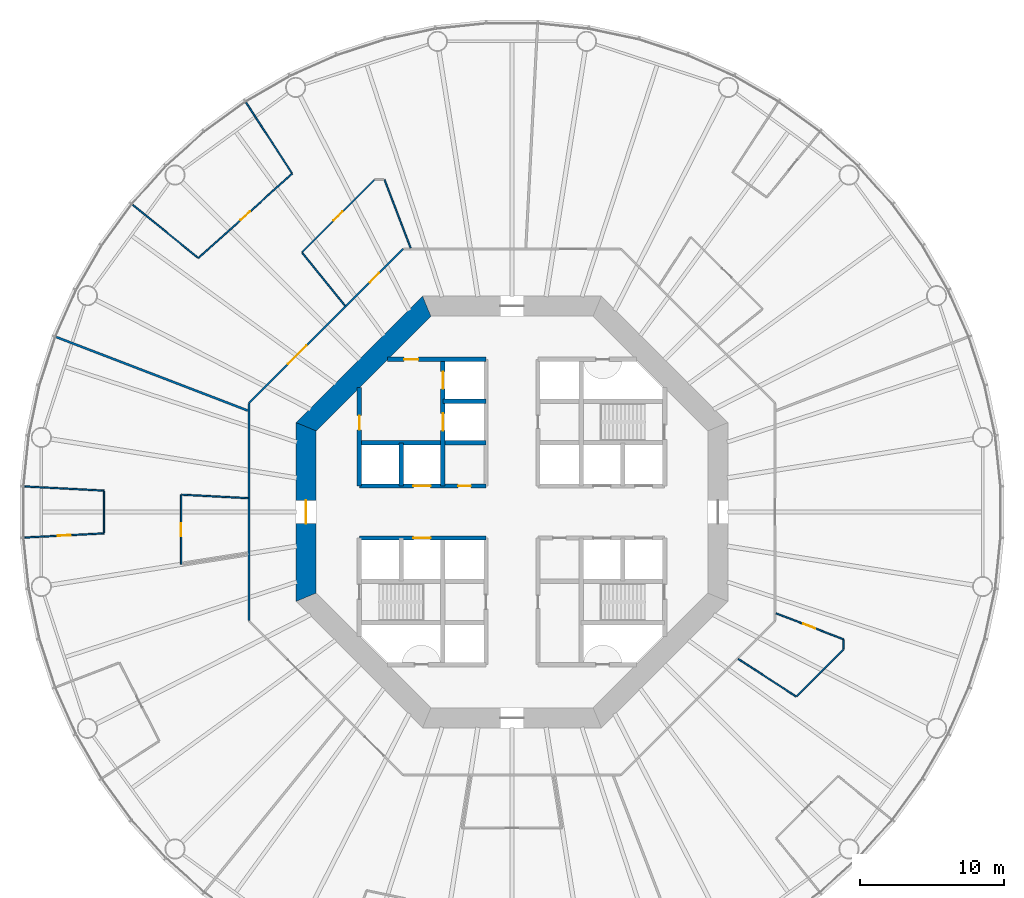
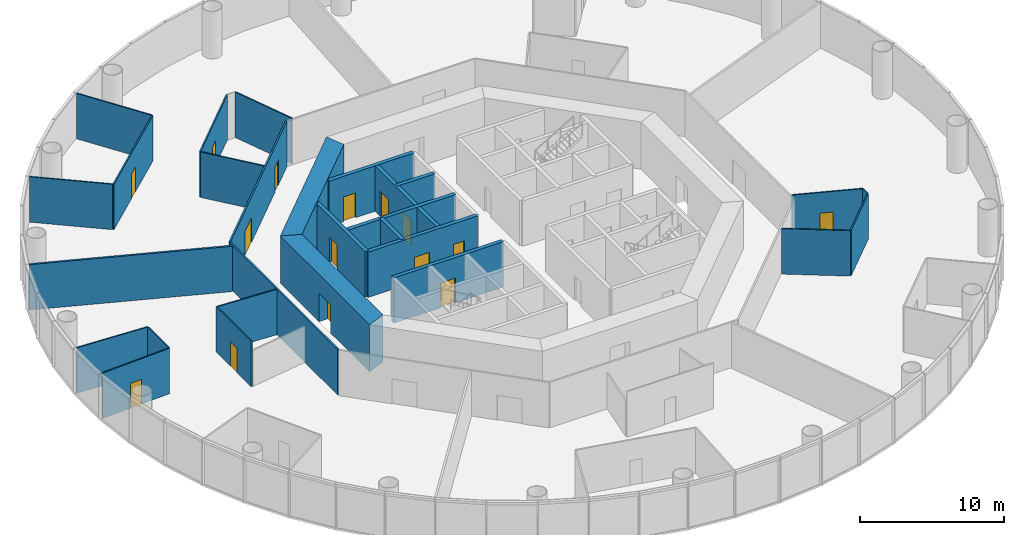
# One storey, part 4 of 13: 28 walls, 15 doors, 15 openings.
"""IFC4 building model written with IfcOpenShell, lengths in metres."""

from ifc_helpers import new_model, si_unit, direction, frame, frame_2d, origin, place, context, subcontext, project, spatial, polyline, rectangle, outline, extrude, material, layer, layer_set, type_object, element, fill, save


model = new_model("IFC4")

# Units and contexts
model_context = context("Model", 3, precision=1e-05, world=origin(), true_north=direction((0.0, 1.0)))
body_context = subcontext(model_context, "Body", "Model", "MODEL_VIEW")
ifc_project = project(units=[si_unit("LENGTHUNIT", "METRE"), si_unit("AREAUNIT", "SQUARE_METRE"), si_unit("VOLUMEUNIT", "CUBIC_METRE"), si_unit("PLANEANGLEUNIT", "RADIAN"), si_unit("MASSUNIT", "GRAM", prefix="KILO")], contexts=[model_context])

# Site, building, storey
site_placement = place(None, origin())
site = spatial("IfcSite", under=ifc_project, at=site_placement, CompositionType="ELEMENT")
building_placement = place(site_placement, origin())
building = spatial("IfcBuilding", under=site, at=building_placement, Name="Entoto Ring Tower", CompositionType="ELEMENT")
storey_placement = place(building_placement, frame((0.0, 0.0, 62.0)))
storey = spatial("IfcBuildingStorey", under=building, at=storey_placement, Name="L13", CompositionType="ELEMENT", Elevation=62.0)

# Wall, openings, doors
ifc_material_1 = material(Name="Concrete C40/50", Category="concrete")
ifc_layer_1 = layer(ifc_material_1, 0.300048828125)
ifc_layer_set_1 = layer_set([ifc_layer_1], Name="Concrete C40/50")
wall_type_1 = type_object("IfcWallType", Name="Core enclosure wall 300 mm reinforced concrete", PredefinedType="SOLIDWALL", material=ifc_layer_set_1)
wall_1_placement = place(storey_placement, frame((85.199951171875, 81.800048828125, 0.0), z_axis=(0.0, 0.0, 1.0), x_axis=(0.0, 1.0, 0.0)))
wall_1 = element("IfcWall", 1, at=wall_1_placement, inside=storey, type_object=wall_type_1, Name="wall-L13-012", PredefinedType="SOLIDWALL", context=body_context, shape_type="SweptSolid", body=[
    extrude(rectangle(XDim=8.800048828125, YDim=0.300048828125, at=frame_2d((4.39990234375, 0.0))), origin(), (0.0, 0.0, 1.0), 3.85009765625),
])
opening_1_placement = place(wall_1_placement, frame((3.85009765625, 0.0, 0.0)))
opening_1 = element("IfcOpeningElement", 2, at=opening_1_placement, cuts=wall_1, Name="Opening LD", PredefinedType="OPENING", context=body_context, shape_type="SweptSolid", body=[
    extrude(rectangle(XDim=1.199951171875, YDim=2.10009765625, at=frame_2d((0.60009765625, 1.050048828125))), frame((0.0, 0.16015625, 0.0), z_axis=(0.0, -1.0, 0.0), x_axis=(1.0, 0.0, 0.0)), (0.0, 0.0, 1.0), 0.320068359375),
])
opening_2_placement = place(wall_1_placement, frame((6.75, 0.0, 0.0)))
opening_2 = element("IfcOpeningElement", 3, at=opening_2_placement, cuts=wall_1, Name="Opening LD", PredefinedType="OPENING", context=body_context, shape_type="SweptSolid", body=[
    extrude(rectangle(XDim=1.199951171875, YDim=2.10009765625, at=frame_2d((0.60009765625, 1.050048828125))), frame((0.0, 0.16015625, 0.0), z_axis=(0.0, -1.0, 0.0), x_axis=(1.0, 0.0, 0.0)), (0.0, 0.0, 1.0), 0.320068359375),
])
ifc_material_2 = material(Name="Steel and glass door leaf", Category="steel")
ifc_layer_2 = layer(ifc_material_2, 0.050048828125)
ifc_layer_set_2 = layer_set([ifc_layer_2], Name="Steel and glass door leaf")
door_type_1 = type_object("IfcDoorType", Name="Landing door 1200 x 2100 sliding", OperationType="DOUBLE_DOOR_SLIDING", PredefinedType="DOOR", material=ifc_layer_set_2)
door_1_placement = place(opening_1_placement, origin())
door_1 = element("IfcDoor", 4, at=door_1_placement, inside=storey, type_object=door_type_1, Name="Landing door FF1", OperationType="SLIDING_TO_RIGHT", OverallHeight=2.10009765625, OverallWidth=1.199951171875, PredefinedType="DOOR", context=body_context, shape_type="SweptSolid", body=[
    extrude(rectangle(XDim=1.199951171875, YDim=2.10009765625, at=frame_2d((0.60009765625, 1.050048828125))), frame((0.0, 0.02490234375, 0.0), z_axis=(0.0, -1.0, 0.0), x_axis=(1.0, 0.0, 0.0)), (0.0, 0.0, 1.0), 0.050048828125),
])
fill(opening_1, door_1)
door_2_placement = place(opening_2_placement, origin())
door_2 = element("IfcDoor", 5, at=door_2_placement, inside=storey, type_object=door_type_1, Name="Landing door FF2", OperationType="SLIDING_TO_RIGHT", OverallHeight=2.10009765625, OverallWidth=1.199951171875, PredefinedType="DOOR", context=body_context, shape_type="SweptSolid", body=[
    extrude(rectangle(XDim=1.199951171875, YDim=2.10009765625, at=frame_2d((0.60009765625, 1.050048828125))), frame((0.0, 0.02490234375, 0.0), z_axis=(0.0, -1.0, 0.0), x_axis=(1.0, 0.0, 0.0)), (0.0, 0.0, 1.0), 0.050048828125),
])
fill(opening_2, door_2)

# Wall
wall_2_placement = place(storey_placement, frame((82.300048828125, 81.800048828125, 0.0), z_axis=(0.0, 0.0, 1.0), x_axis=(0.0, 1.0, 0.0)))
element("IfcWall", 6, at=wall_2_placement, inside=storey, type_object=wall_type_1, Name="wall-L13-014", PredefinedType="SOLIDWALL", context=body_context, shape_type="SweptSolid", body=[
    extrude(rectangle(XDim=3.0, YDim=0.300048828125, at=frame_2d((1.5, 0.0))), origin(), (0.0, 0.0, 1.0), 3.85009765625),
])

# Wall, opening, door
wall_3_placement = place(storey_placement, frame((79.39990234375, 81.800048828125, 0.0), z_axis=(0.0, 0.0, 1.0), x_axis=(0.0, 1.0, 0.0)))
wall_3 = element("IfcWall", 7, at=wall_3_placement, inside=storey, type_object=wall_type_1, Name="wall-L13-016", PredefinedType="SOLIDWALL", context=body_context, shape_type="SweptSolid", body=[
    extrude(rectangle(XDim=6.833251953125, YDim=0.300048828125, at=frame_2d((3.41650390625, 0.0))), origin(), (0.0, 0.0, 1.0), 3.85009765625),
])
opening_3_placement = place(wall_3_placement, frame((3.89990234375, 0.0, 0.0)))
opening_3 = element("IfcOpeningElement", 8, at=opening_3_placement, cuts=wall_3, Name="Opening K-22", PredefinedType="OPENING", context=body_context, shape_type="SweptSolid", body=[
    extrude(rectangle(XDim=1.0, YDim=2.10009765625, at=frame_2d((0.5, 1.050048828125))), frame((0.0, 0.16015625, 0.0), z_axis=(0.0, -1.0, 0.0), x_axis=(1.0, 0.0, 0.0)), (0.0, 0.0, 1.0), 0.320068359375),
])
ifc_material_3 = material(Name="Steel door leaf, fire rated", Category="steel")
ifc_layer_3 = layer(ifc_material_3, 0.050048828125)
ifc_layer_set_3 = layer_set([ifc_layer_3], Name="Steel door leaf, fire rated")
door_type_2 = type_object("IfcDoorType", Name="Fire door FD60 1000 x 2100 single leaf", OperationType="NOTDEFINED", PredefinedType="DOOR", material=ifc_layer_set_3)
door_3_placement = place(opening_3_placement, frame((1.0, 0.0, 0.0), z_axis=(0.0, 0.0, 1.0), x_axis=(-1.0, 0.0, 0.0)))
door_3 = element("IfcDoor", 9, at=door_3_placement, inside=storey, type_object=door_type_2, Name="Door K-22", OperationType="SINGLE_SWING_LEFT", OverallHeight=2.10009765625, OverallWidth=1.0, PredefinedType="DOOR", context=body_context, shape_type="SweptSolid", body=[
    extrude(rectangle(XDim=1.0, YDim=2.10009765625, at=frame_2d((0.5, 1.050048828125))), frame((0.0, 0.02490234375, 0.0), z_axis=(0.0, -1.0, 0.0), x_axis=(1.0, 0.0, 0.0)), (0.0, 0.0, 1.0), 0.050048828125),
])
fill(opening_3, door_3)

wall_4_placement = place(storey_placement, frame((79.39990234375, 78.199951171875, 0.0), z_axis=(0.0, 0.0, 1.0), x_axis=(1.0, 0.0, 0.0)))
wall_4 = element("IfcWall", 10, at=wall_4_placement, inside=storey, type_object=wall_type_1, Name="wall-L13-023", PredefinedType="SOLIDWALL", context=body_context, shape_type="SweptSolid", body=[
    extrude(rectangle(XDim=8.800048828125, YDim=0.300048828125, at=frame_2d((4.39990234375, 0.0))), origin(), (0.0, 0.0, 1.0), 3.85009765625),
])
opening_4_placement = place(wall_4_placement, frame((3.75, 0.0, 0.0)))
opening_4 = element("IfcOpeningElement", 11, at=opening_4_placement, cuts=wall_4, Name="Opening LD", PredefinedType="OPENING", context=body_context, shape_type="SweptSolid", body=[
    extrude(rectangle(XDim=1.199951171875, YDim=2.10009765625, at=frame_2d((0.60009765625, 1.050048828125))), frame((0.0, 0.16015625, 0.0), z_axis=(0.0, -1.0, 0.0), x_axis=(1.0, 0.0, 0.0)), (0.0, 0.0, 1.0), 0.320068359375),
])
door_4_placement = place(opening_4_placement, origin())
door_4 = element("IfcDoor", 12, at=door_4_placement, inside=storey, type_object=door_type_1, Name="Landing door LB6-LR", OperationType="SLIDING_TO_RIGHT", OverallHeight=2.10009765625, OverallWidth=1.199951171875, PredefinedType="DOOR", context=body_context, shape_type="SweptSolid", body=[
    extrude(rectangle(XDim=1.199951171875, YDim=2.10009765625, at=frame_2d((0.60009765625, 1.050048828125))), frame((0.0, 0.02490234375, 0.0), z_axis=(0.0, -1.0, 0.0), x_axis=(1.0, 0.0, 0.0)), (0.0, 0.0, 1.0), 0.050048828125),
])
fill(opening_4, door_4)

# Wall, openings, doors
wall_5_placement = place(storey_placement, frame((79.39990234375, 81.800048828125, 0.0), z_axis=(0.0, 0.0, 1.0), x_axis=(1.0, 0.0, 0.0)))
wall_5 = element("IfcWall", 13, at=wall_5_placement, inside=storey, type_object=wall_type_1, Name="wall-L13-025", PredefinedType="SOLIDWALL", context=body_context, shape_type="SweptSolid", body=[
    extrude(rectangle(XDim=8.800048828125, YDim=0.300048828125, at=frame_2d((4.39990234375, 0.0))), origin(), (0.0, 0.0, 1.0), 3.85009765625),
])
opening_5_placement = place(wall_5_placement, frame((3.75, 0.0, 0.0)))
opening_5 = element("IfcOpeningElement", 14, at=opening_5_placement, cuts=wall_5, Name="Opening LD", PredefinedType="OPENING", context=body_context, shape_type="SweptSolid", body=[
    extrude(rectangle(XDim=1.199951171875, YDim=2.10009765625, at=frame_2d((0.60009765625, 1.050048828125))), frame((0.0, 0.16015625, 0.0), z_axis=(0.0, -1.0, 0.0), x_axis=(1.0, 0.0, 0.0)), (0.0, 0.0, 1.0), 0.320068359375),
])
opening_6_placement = place(wall_5_placement, frame((6.85009765625, 0.0, 0.0)))
opening_6 = element("IfcOpeningElement", 15, at=opening_6_placement, cuts=wall_5, Name="Opening K-14", PredefinedType="OPENING", context=body_context, shape_type="SweptSolid", body=[
    extrude(rectangle(XDim=0.89990234375, YDim=2.10009765625, at=frame_2d((0.449951171875, 1.050048828125))), frame((0.0, 0.16015625, 0.0), z_axis=(0.0, -1.0, 0.0), x_axis=(1.0, 0.0, 0.0)), (0.0, 0.0, 1.0), 0.320068359375),
])
ifc_material_4 = material(Name="Steel door leaf, fire rated", Category="steel")
ifc_layer_4 = layer(ifc_material_4, 0.050048828125)
ifc_layer_set_4 = layer_set([ifc_layer_4], Name="Steel door leaf, fire rated")
door_type_3 = type_object("IfcDoorType", Name="Core door 900 x 2100 single leaf", OperationType="NOTDEFINED", PredefinedType="DOOR", material=ifc_layer_set_4)
door_5_placement = place(opening_6_placement, frame((0.89990234375, 0.0, 0.0), z_axis=(0.0, 0.0, 1.0), x_axis=(-1.0, 0.0, 0.0)))
door_5 = element("IfcDoor", 16, at=door_5_placement, inside=storey, type_object=door_type_3, Name="Door K-14", OperationType="SINGLE_SWING_RIGHT", OverallHeight=2.10009765625, OverallWidth=0.89990234375, PredefinedType="DOOR", context=body_context, shape_type="SweptSolid", body=[
    extrude(rectangle(XDim=0.89990234375, YDim=2.10009765625, at=frame_2d((0.449951171875, 1.050048828125))), frame((0.0, 0.02490234375, 0.0), z_axis=(0.0, -1.0, 0.0), x_axis=(1.0, 0.0, 0.0)), (0.0, 0.0, 1.0), 0.050048828125),
])
fill(opening_6, door_5)
door_6_placement = place(opening_5_placement, origin())
door_6 = element("IfcDoor", 17, at=door_6_placement, inside=storey, type_object=door_type_1, Name="Landing door LB3-LR", OperationType="SLIDING_TO_RIGHT", OverallHeight=2.10009765625, OverallWidth=1.199951171875, PredefinedType="DOOR", context=body_context, shape_type="SweptSolid", body=[
    extrude(rectangle(XDim=1.199951171875, YDim=2.10009765625, at=frame_2d((0.60009765625, 1.050048828125))), frame((0.0, 0.02490234375, 0.0), z_axis=(0.0, -1.0, 0.0), x_axis=(1.0, 0.0, 0.0)), (0.0, 0.0, 1.0), 0.050048828125),
])
fill(opening_5, door_6)

# Walls
wall_6_placement = place(storey_placement, frame((79.39990234375, 84.800048828125, 0.0), z_axis=(0.0, 0.0, 1.0), x_axis=(1.0, 0.0, 0.0)))
element("IfcWall", 18, at=wall_6_placement, inside=storey, type_object=wall_type_1, Name="wall-L13-027", PredefinedType="SOLIDWALL", context=body_context, shape_type="SweptSolid", body=[
    extrude(rectangle(XDim=8.800048828125, YDim=0.300048828125, at=frame_2d((4.39990234375, 0.0))), origin(), (0.0, 0.0, 1.0), 3.85009765625),
])
wall_7_placement = place(storey_placement, frame((85.199951171875, 87.699951171875, 0.0), z_axis=(0.0, 0.0, 1.0), x_axis=(1.0, 0.0, 0.0)))
element("IfcWall", 19, at=wall_7_placement, inside=storey, type_object=wall_type_1, Name="wall-L13-029", PredefinedType="SOLIDWALL", context=body_context, shape_type="SweptSolid", body=[
    extrude(rectangle(XDim=3.0, YDim=0.300048828125, at=frame_2d((1.5, 0.0))), origin(), (0.0, 0.0, 1.0), 3.85009765625),
])

# Wall, opening, door
wall_8_placement = place(storey_placement, frame((81.36669921875, 90.60009765625, 0.0), z_axis=(0.0, 0.0, 1.0), x_axis=(1.0, 0.0, 0.0)))
wall_8 = element("IfcWall", 20, at=wall_8_placement, inside=storey, type_object=wall_type_1, Name="wall-L13-031", PredefinedType="SOLIDWALL", context=body_context, shape_type="SweptSolid", body=[
    extrude(rectangle(XDim=6.833251953125, YDim=0.300048828125, at=frame_2d((3.41650390625, 0.0))), origin(), (0.0, 0.0, 1.0), 3.85009765625),
])
opening_7_placement = place(wall_8_placement, frame((1.13330078125, 0.0, 0.0)))
opening_7 = element("IfcOpeningElement", 21, at=opening_7_placement, cuts=wall_8, Name="Opening K-23", PredefinedType="OPENING", context=body_context, shape_type="SweptSolid", body=[
    extrude(rectangle(XDim=1.0, YDim=2.10009765625, at=frame_2d((0.5, 1.050048828125))), frame((0.0, 0.16015625, 0.0), z_axis=(0.0, -1.0, 0.0), x_axis=(1.0, 0.0, 0.0)), (0.0, 0.0, 1.0), 0.320068359375),
])
door_7_placement = place(opening_7_placement, frame((1.0, 0.0, 0.0), z_axis=(0.0, 0.0, 1.0), x_axis=(-1.0, 0.0, 0.0)))
door_7 = element("IfcDoor", 22, at=door_7_placement, inside=storey, type_object=door_type_2, Name="Door K-23", OperationType="SINGLE_SWING_RIGHT", OverallHeight=2.10009765625, OverallWidth=1.0, PredefinedType="DOOR", context=body_context, shape_type="SweptSolid", body=[
    extrude(rectangle(XDim=1.0, YDim=2.10009765625, at=frame_2d((0.5, 1.050048828125))), frame((0.0, 0.02490234375, 0.0), z_axis=(0.0, -1.0, 0.0), x_axis=(1.0, 0.0, 0.0)), (0.0, 0.0, 1.0), 0.050048828125),
])
fill(opening_7, door_7)

# Wall
ifc_material_5 = material(Name="Concrete C60/75", Category="concrete")
ifc_layer_5 = layer(ifc_material_5, 1.39990234375)
ifc_layer_set_5 = layer_set([ifc_layer_5], Name="Concrete C60/75")
wall_type_2 = type_object("IfcWallType", Name="Core shear wall 1400 mm reinforced concrete C60/75", PredefinedType="SHEAR", material=ifc_layer_set_5)
wall_9_placement = place(storey_placement, frame((84.07666015625, 94.300048828125, 0.0), z_axis=(0.0, 0.0, 1.0), x_axis=(-0.707106781187, -0.707106781187, 0.0)))
element("IfcWall", 23, at=wall_9_placement, inside=storey, type_object=wall_type_2, Name="wall-L13-core-3", PredefinedType="SHEAR", context=body_context, shape_type="SweptSolid", body=[
    extrude(outline(polyline([(-0.2900390625, -0.699951171875), (12.136474609375, -0.699951171875), (11.556396484375, 0.699951171875), (0.2900390625, 0.699951171875), (-0.2900390625, -0.699951171875)])), origin(), (0.0, 0.0, 1.0), 4.0),
])

# Wall, opening, door
wall_10_placement = place(storey_placement, frame((75.699951171875, 85.92333984375, 0.0), z_axis=(0.0, 0.0, 1.0), x_axis=(0.0, -1.0, 0.0)))
wall_10 = element("IfcWall", 24, at=wall_10_placement, inside=storey, type_object=wall_type_2, Name="wall-L13-core-4", PredefinedType="SHEAR", context=body_context, shape_type="SweptSolid", body=[
    extrude(outline(polyline([(-0.2900390625, -0.699951171875), (12.13671875, -0.699951171875), (11.556640625, 0.699951171875), (0.2900390625, 0.699951171875), (-0.2900390625, -0.699951171875)])), origin(), (0.0, 0.0, 1.0), 4.0),
])
opening_8_placement = place(wall_10_placement, frame((5.123291015625, 0.0, 0.0)))
opening_8 = element("IfcOpeningElement", 25, at=opening_8_placement, cuts=wall_10, Name="Opening K-03", PredefinedType="OPENING", context=body_context, shape_type="SweptSolid", body=[
    extrude(rectangle(XDim=1.60009765625, YDim=2.39990234375, at=frame_2d((0.800048828125, 1.199951171875))), frame((0.0, 0.7099609375, 0.0), z_axis=(0.0, -1.0, 0.0), x_axis=(1.0, 0.0, 0.0)), (0.0, 0.0, 1.0), 1.419921875),
])
ifc_material_6 = material(Name="Steel door leaf, fire rated", Category="steel")
ifc_layer_6 = layer(ifc_material_6, 0.050048828125)
ifc_layer_set_6 = layer_set([ifc_layer_6], Name="Steel door leaf, fire rated")
door_type_4 = type_object("IfcDoorType", Name="Entrance door FD60 1600 x 2400 double leaf", OperationType="DOUBLE_DOOR_SINGLE_SWING", PredefinedType="DOOR", material=ifc_layer_set_6)
door_8_placement = place(opening_8_placement, origin())
door_8 = element("IfcDoor", 26, at=door_8_placement, inside=storey, type_object=door_type_4, Name="Entrance door K-03", OperationType="DOUBLE_DOOR_SINGLE_SWING", OverallHeight=2.39990234375, OverallWidth=1.60009765625, PredefinedType="DOOR", context=body_context, shape_type="SweptSolid", body=[
    extrude(rectangle(XDim=1.60009765625, YDim=2.39990234375, at=frame_2d((0.800048828125, 1.199951171875))), frame((0.0, 0.02490234375, 0.0), z_axis=(0.0, -1.0, 0.0), x_axis=(1.0, 0.0, 0.0)), (0.0, 0.0, 1.0), 0.050048828125),
])
fill(opening_8, door_8)

# Wall, openings, doors
ifc_material_7 = material(Name="Fire-resisting plasterboard on steel studs", Category="steel")
ifc_layer_7 = layer(ifc_material_7, 0.125)
ifc_layer_set_7 = layer_set([ifc_layer_7], Name="Fire-resisting plasterboard on steel studs")
wall_type_3 = type_object("IfcWallType", Name="Corridor wall 125 mm one-hour plasterboard on steel studs", PredefinedType="PARTITIONING", material=ifc_layer_set_7)
wall_11_placement = place(storey_placement, frame((71.737548828125, 87.564697265625, 0.0), z_axis=(0.0, 0.0, 1.0), x_axis=(0.707106781187, 0.707106781187, 0.0)))
wall_11 = element("IfcWall", 27, at=wall_11_placement, inside=storey, type_object=wall_type_3, Name="partition-L13-001", PredefinedType="PARTITIONING", context=body_context, shape_type="SweptSolid", body=[
    extrude(rectangle(XDim=15.12890625, YDim=0.125, at=frame_2d((7.564453125, 0.0))), origin(), (0.0, 0.0, 1.0), 3.85009765625),
])
opening_9_placement = place(wall_11_placement, frame((3.842041015625, 0.0, 0.0)))
opening_9 = element("IfcOpeningElement", 28, at=opening_9_placement, cuts=wall_11, Name="Opening A05-D14", PredefinedType="OPENING", context=body_context, shape_type="SweptSolid", body=[
    extrude(rectangle(XDim=1.800048828125, YDim=2.10009765625, at=frame_2d((0.89990234375, 1.050048828125))), frame((0.0, 0.072509765625, 0.0), z_axis=(0.0, -1.0, 0.0), x_axis=(1.0, 0.0, 0.0)), (0.0, 0.0, 1.0), 0.14501953125),
])
opening_10_placement = place(wall_11_placement, frame((11.8564453125, 0.0, 0.0)))
opening_10 = element("IfcOpeningElement", 29, at=opening_10_placement, cuts=wall_11, Name="Opening A05-D16", PredefinedType="OPENING", context=body_context, shape_type="SweptSolid", body=[
    extrude(rectangle(XDim=0.89990234375, YDim=2.10009765625, at=frame_2d((0.449951171875, 1.050048828125))), frame((0.0, 0.072509765625, 0.0), z_axis=(0.0, -1.0, 0.0), x_axis=(1.0, 0.0, 0.0)), (0.0, 0.0, 1.0), 0.14501953125),
])
ifc_material_8 = material(Name="Fire-resisting timber door set", Category="wood")
door_type_5 = type_object("IfcDoorType", Name="Door 1000 x 2100 single leaf FD30S fire door", OperationType="NOTDEFINED", PredefinedType="DOOR", material=ifc_material_8)
door_9_placement = place(opening_10_placement, origin())
door_9 = element("IfcDoor", 30, at=door_9_placement, inside=storey, type_object=door_type_5, Name="Door A05-D16", OperationType="SINGLE_SWING_LEFT", OverallHeight=2.10009765625, OverallWidth=0.89990234375, PredefinedType="DOOR", context=body_context, shape_type="SweptSolid", body=[
    extrude(rectangle(XDim=0.89990234375, YDim=2.10009765625, at=frame_2d((0.449951171875, 1.050048828125))), frame((0.0, 0.02490234375, 0.0), z_axis=(0.0, -1.0, 0.0), x_axis=(1.0, 0.0, 0.0)), (0.0, 0.0, 1.0), 0.050048828125),
])
fill(opening_10, door_9)
ifc_material_9 = material(Name="Fire-resisting timber door set", Category="wood")
door_type_6 = type_object("IfcDoorType", Name="Door 1800 x 2100 double leaf FD30S fire door", OperationType="DOUBLE_DOOR_SINGLE_SWING", PredefinedType="DOOR", material=ifc_material_9)
door_10_placement = place(opening_9_placement, origin())
door_10 = element("IfcDoor", 31, at=door_10_placement, inside=storey, type_object=door_type_6, Name="Door A05-D14", OperationType="DOUBLE_DOOR_SINGLE_SWING", OverallHeight=2.10009765625, OverallWidth=1.800048828125, PredefinedType="DOOR", context=body_context, shape_type="SweptSolid", body=[
    extrude(rectangle(XDim=1.800048828125, YDim=2.10009765625, at=frame_2d((0.89990234375, 1.050048828125))), frame((0.0, 0.02490234375, 0.0), z_axis=(0.0, -1.0, 0.0), x_axis=(1.0, 0.0, 0.0)), (0.0, 0.0, 1.0), 0.050048828125),
])
fill(opening_9, door_10)

# Wall
wall_12_placement = place(storey_placement, frame((71.737548828125, 72.4794921875, 0.0), z_axis=(0.0, 0.0, 1.0), x_axis=(0.0, 1.0, 0.0)))
element("IfcWall", 32, at=wall_12_placement, inside=storey, type_object=wall_type_3, Name="partition-L13-005", PredefinedType="PARTITIONING", context=body_context, shape_type="SweptSolid", body=[
    extrude(rectangle(XDim=15.041015625, YDim=0.125, at=frame_2d((7.5205078125, 0.0))), origin(), (0.0, 0.0, 1.0), 3.85009765625),
])

# Wall, opening, door
ifc_material_10 = material(Name="Plasterboard on steel studs", Category="steel")
ifc_layer_8 = layer(ifc_material_10, 0.10009765625)
ifc_layer_set_8 = layer_set([ifc_layer_8], Name="Plasterboard on steel studs")
wall_type_4 = type_object("IfcWallType", Name="Partition 100 mm plasterboard on steel studs", PredefinedType="PARTITIONING", material=ifc_layer_set_8)
wall_13_placement = place(storey_placement, frame((68.216552734375, 97.639892578125, 0.0), z_axis=(0.0, 0.0, 1.0), x_axis=(0.743162627125, 0.669110835098, 0.0)))
wall_13 = element("IfcWall", 33, at=wall_13_placement, inside=storey, type_object=wall_type_4, Name="partition-L13-015", PredefinedType="PARTITIONING", context=body_context, shape_type="SweptSolid", body=[
    extrude(rectangle(XDim=8.769775390625, YDim=0.10009765625, at=frame_2d((4.384765625, 0.0))), origin(), (0.0, 0.0, 1.0), 3.85009765625),
])
opening_11_placement = place(wall_13_placement, frame((3.934814453125, 0.0, 0.0)))
opening_11 = element("IfcOpeningElement", 34, at=opening_11_placement, cuts=wall_13, Name="Opening A05-D17", PredefinedType="OPENING", context=body_context, shape_type="SweptSolid", body=[
    extrude(rectangle(XDim=0.89990234375, YDim=2.10009765625, at=frame_2d((0.449951171875, 1.050048828125))), frame((0.0, 0.06005859375, 0.0), z_axis=(0.0, -1.0, 0.0), x_axis=(1.0, 0.0, 0.0)), (0.0, 0.0, 1.0), 0.1201171875),
])
ifc_material_11 = material(Name="Veneered timber door leaf in timber frame", Category="wood")
door_type_7 = type_object("IfcDoorType", Name="Door 900 x 2100 single leaf timber veneer", OperationType="NOTDEFINED", PredefinedType="DOOR", material=ifc_material_11)
door_11_placement = place(opening_11_placement, origin())
door_11 = element("IfcDoor", 35, at=door_11_placement, inside=storey, type_object=door_type_7, Name="Door A05-D17", OperationType="SINGLE_SWING_RIGHT", OverallHeight=2.10009765625, OverallWidth=0.89990234375, PredefinedType="DOOR", context=body_context, shape_type="SweptSolid", body=[
    extrude(rectangle(XDim=0.89990234375, YDim=2.10009765625, at=frame_2d((0.449951171875, 1.050048828125))), frame((0.0, 0.02490234375, 0.0), z_axis=(0.0, -1.0, 0.0), x_axis=(1.0, 0.0, 0.0)), (0.0, 0.0, 1.0), 0.050048828125),
])
fill(opening_11, door_11)

wall_14_placement = place(storey_placement, frame((75.393798828125, 98.037353515625, 0.0), z_axis=(0.0, 0.0, 1.0), x_axis=(0.707106781187, 0.707106781187, 0.0)))
wall_14 = element("IfcWall", 36, at=wall_14_placement, inside=storey, type_object=wall_type_4, Name="partition-L13-016", PredefinedType="PARTITIONING", context=body_context, shape_type="SweptSolid", body=[
    extrude(rectangle(XDim=7.135009765625, YDim=0.10009765625, at=frame_2d((3.5673828125, 0.0))), origin(), (0.0, 0.0, 1.0), 3.85009765625),
])
opening_12_placement = place(wall_14_placement, frame((3.117431640625, 0.0, 0.0)))
opening_12 = element("IfcOpeningElement", 37, at=opening_12_placement, cuts=wall_14, Name="Opening A05-D15", PredefinedType="OPENING", context=body_context, shape_type="SweptSolid", body=[
    extrude(rectangle(XDim=0.89990234375, YDim=2.10009765625, at=frame_2d((0.449951171875, 1.050048828125))), frame((0.0, 0.06005859375, 0.0), z_axis=(0.0, -1.0, 0.0), x_axis=(1.0, 0.0, 0.0)), (0.0, 0.0, 1.0), 0.1201171875),
])
door_12_placement = place(opening_12_placement, frame((0.89990234375, 0.0, 0.0), z_axis=(0.0, 0.0, 1.0), x_axis=(-1.0, 0.0, 0.0)))
door_12 = element("IfcDoor", 38, at=door_12_placement, inside=storey, type_object=door_type_7, Name="Door A05-D15", OperationType="SINGLE_SWING_RIGHT", OverallHeight=2.10009765625, OverallWidth=0.89990234375, PredefinedType="DOOR", context=body_context, shape_type="SweptSolid", body=[
    extrude(rectangle(XDim=0.89990234375, YDim=2.10009765625, at=frame_2d((0.449951171875, 1.050048828125))), frame((0.0, 0.02490234375, 0.0), z_axis=(0.0, -1.0, 0.0), x_axis=(1.0, 0.0, 0.0)), (0.0, 0.0, 1.0), 0.050048828125),
])
fill(opening_12, door_12)

# Walls
wall_15_placement = place(storey_placement, frame((74.706787109375, 103.54931640625, 0.0), z_axis=(0.0, 0.0, 1.0), x_axis=(-0.544623708746, 0.838680520742, 0.0)))
element("IfcWall", 39, at=wall_15_placement, inside=storey, type_object=wall_type_4, Name="partition-L13-021", PredefinedType="PARTITIONING", context=body_context, shape_type="SweptSolid", body=[
    extrude(rectangle(XDim=5.86083984375, YDim=0.10009765625, at=frame_2d((2.930419921875, 0.0))), origin(), (0.0, 0.0, 1.0), 3.85009765625),
])
wall_16_placement = place(storey_placement, frame((68.17822265625, 97.6708984375, 0.0), z_axis=(0.0, 0.0, 1.0), x_axis=(-0.777136205055, 0.629332439012, 0.0)))
element("IfcWall", 40, at=wall_16_placement, inside=storey, type_object=wall_type_4, Name="partition-L13-022", PredefinedType="PARTITIONING", context=body_context, shape_type="SweptSolid", body=[
    extrude(rectangle(XDim=5.860595703125, YDim=0.10009765625, at=frame_2d((2.93017578125, 0.0))), origin(), (0.0, 0.0, 1.0), 3.85009765625),
])

# Wall, opening, door
wall_17_placement = place(storey_placement, frame((56.1064453125, 78.2236328125, 0.0), z_axis=(0.0, 0.0, 1.0), x_axis=(0.998629328492, 0.052339891816, 0.0)))
wall_17 = element("IfcWall", 41, at=wall_17_placement, inside=storey, type_object=wall_type_4, Name="partition-L13-027", PredefinedType="PARTITIONING", context=body_context, shape_type="SweptSolid", body=[
    extrude(rectangle(XDim=5.56005859375, YDim=0.10009765625, at=frame_2d((2.780029296875, 0.0))), origin(), (0.0, 0.0, 1.0), 3.85009765625),
])
opening_13_placement = place(wall_17_placement, frame((2.330078125, 0.0, 0.0)))
opening_13 = element("IfcOpeningElement", 42, at=opening_13_placement, cuts=wall_17, Name="Opening A05-D03", PredefinedType="OPENING", context=body_context, shape_type="SweptSolid", body=[
    extrude(rectangle(XDim=0.89990234375, YDim=2.10009765625, at=frame_2d((0.449951171875, 1.050048828125))), frame((0.0, 0.06005859375, 0.0), z_axis=(0.0, -1.0, 0.0), x_axis=(1.0, 0.0, 0.0)), (0.0, 0.0, 1.0), 0.1201171875),
])
door_13_placement = place(opening_13_placement, origin())
door_13 = element("IfcDoor", 43, at=door_13_placement, inside=storey, type_object=door_type_7, Name="Door A05-D03", OperationType="SINGLE_SWING_LEFT", OverallHeight=2.10009765625, OverallWidth=0.89990234375, PredefinedType="DOOR", context=body_context, shape_type="SweptSolid", body=[
    extrude(rectangle(XDim=0.89990234375, YDim=2.10009765625, at=frame_2d((0.449951171875, 1.050048828125))), frame((0.0, 0.02490234375, 0.0), z_axis=(0.0, -1.0, 0.0), x_axis=(1.0, 0.0, 0.0)), (0.0, 0.0, 1.0), 0.050048828125),
])
fill(opening_13, door_13)

# Walls
wall_18_placement = place(storey_placement, frame((61.658935546875, 81.4853515625, 0.0), z_axis=(0.0, 0.0, 1.0), x_axis=(-0.998629328492, 0.052339891816, 0.0)))
element("IfcWall", 44, at=wall_18_placement, inside=storey, type_object=wall_type_4, Name="partition-L13-028", PredefinedType="PARTITIONING", context=body_context, shape_type="SweptSolid", body=[
    extrude(rectangle(XDim=5.56005859375, YDim=0.10009765625, at=frame_2d((2.780029296875, 0.0))), origin(), (0.0, 0.0, 1.0), 3.85009765625),
])
wall_19_placement = place(storey_placement, frame((82.958984375, 98.3427734375, 0.0), z_axis=(0.0, 0.0, 1.0), x_axis=(-0.358395762985, 0.933569749443, 0.0)))
element("IfcWall", 45, at=wall_19_placement, inside=storey, type_object=wall_type_4, Name="partition-L13-029", PredefinedType="PARTITIONING", context=body_context, shape_type="SweptSolid", body=[
    extrude(rectangle(XDim=5.076904296875, YDim=0.10009765625, at=frame_2d((2.53857421875, 0.0))), origin(), (0.0, 0.0, 1.0), 3.85009765625),
])

# Wall, opening, door
wall_20_placement = place(storey_placement, frame((113.032470703125, 71.15869140625, 0.0), z_axis=(0.0, 0.0, 1.0), x_axis=(-0.933574641802, 0.358383018827, 0.0)))
wall_20 = element("IfcWall", 46, at=wall_20_placement, inside=storey, type_object=wall_type_4, Name="partition-L13-030", PredefinedType="PARTITIONING", context=body_context, shape_type="SweptSolid", body=[
    extrude(rectangle(XDim=5.0234375, YDim=0.10009765625, at=frame_2d((2.51171875, 0.0))), origin(), (0.0, 0.0, 1.0), 3.85009765625),
])
opening_14_placement = place(wall_20_placement, frame((2.104736328125, 0.0, 0.0)))
opening_14 = element("IfcOpeningElement", 47, at=opening_14_placement, cuts=wall_20, Name="Opening A05-D09", PredefinedType="OPENING", context=body_context, shape_type="SweptSolid", body=[
    extrude(rectangle(XDim=0.89990234375, YDim=2.10009765625, at=frame_2d((0.449951171875, 1.050048828125))), frame((0.0, 0.06005859375, 0.0), z_axis=(0.0, -1.0, 0.0), x_axis=(1.0, 0.0, 0.0)), (0.0, 0.0, 1.0), 0.1201171875),
])
door_14_placement = place(opening_14_placement, origin())
door_14 = element("IfcDoor", 48, at=door_14_placement, inside=storey, type_object=door_type_7, Name="Door A05-D09", OperationType="SINGLE_SWING_RIGHT", OverallHeight=2.10009765625, OverallWidth=0.89990234375, PredefinedType="DOOR", context=body_context, shape_type="SweptSolid", body=[
    extrude(rectangle(XDim=0.89990234375, YDim=2.10009765625, at=frame_2d((0.449951171875, 1.050048828125))), frame((0.0, 0.02490234375, 0.0), z_axis=(0.0, -1.0, 0.0), x_axis=(1.0, 0.0, 0.0)), (0.0, 0.0, 1.0), 0.050048828125),
])
fill(opening_14, door_14)

# Walls
wall_21_placement = place(storey_placement, frame((109.748291015625, 67.17529296875, 0.0), z_axis=(0.0, 0.0, 1.0), x_axis=(-0.838677001746, 0.544629127702, 0.0)))
element("IfcWall", 49, at=wall_21_placement, inside=storey, type_object=wall_type_4, Name="partition-L13-031", PredefinedType="PARTITIONING", context=body_context, shape_type="SweptSolid", body=[
    extrude(rectangle(XDim=4.80224609375, YDim=0.10009765625, at=frame_2d((2.401123046875, 0.0))), origin(), (0.0, 0.0, 1.0), 3.85009765625),
])
wall_22_placement = place(storey_placement, frame((78.40087890625, 94.32373046875, 0.0), z_axis=(0.0, 0.0, 1.0), x_axis=(-0.629299217098, 0.777163107308, 0.0)))
element("IfcWall", 50, at=wall_22_placement, inside=storey, type_object=wall_type_4, Name="partition-L13-032", PredefinedType="PARTITIONING", context=body_context, shape_type="SweptSolid", body=[
    extrude(rectangle(XDim=4.728759765625, YDim=0.10009765625, at=frame_2d((2.3642578125, 0.0))), origin(), (0.0, 0.0, 1.0), 3.85009765625),
])

# Wall, opening, door
wall_23_placement = place(storey_placement, frame((67.017578125, 76.35986328125, 0.0), z_axis=(0.0, 0.0, 1.0), x_axis=(0.0, 1.0, 0.0)))
wall_23 = element("IfcWall", 51, at=wall_23_placement, inside=storey, type_object=wall_type_4, Name="partition-L13-033", PredefinedType="PARTITIONING", context=body_context, shape_type="SweptSolid", body=[
    extrude(rectangle(XDim=4.8447265625, YDim=0.10009765625, at=frame_2d((2.42236328125, 0.0))), origin(), (0.0, 0.0, 1.0), 3.85009765625),
])
opening_15_placement = place(wall_23_placement, frame((1.972412109375, 0.0, 0.0)))
opening_15 = element("IfcOpeningElement", 52, at=opening_15_placement, cuts=wall_23, Name="Opening A05-D02", PredefinedType="OPENING", context=body_context, shape_type="SweptSolid", body=[
    extrude(rectangle(XDim=0.89990234375, YDim=2.10009765625, at=frame_2d((0.449951171875, 1.050048828125))), frame((0.0, 0.06005859375, 0.0), z_axis=(0.0, -1.0, 0.0), x_axis=(1.0, 0.0, 0.0)), (0.0, 0.0, 1.0), 0.1201171875),
])
door_15_placement = place(opening_15_placement, frame((0.89990234375, 0.0, 0.0), z_axis=(0.0, 0.0, 1.0), x_axis=(-1.0, 0.0, 0.0)))
door_15 = element("IfcDoor", 53, at=door_15_placement, inside=storey, type_object=door_type_7, Name="Door A05-D02", OperationType="SINGLE_SWING_RIGHT", OverallHeight=2.10009765625, OverallWidth=0.89990234375, PredefinedType="DOOR", context=body_context, shape_type="SweptSolid", body=[
    extrude(rectangle(XDim=0.89990234375, YDim=2.10009765625, at=frame_2d((0.449951171875, 1.050048828125))), frame((0.0, 0.02490234375, 0.0), z_axis=(0.0, -1.0, 0.0), x_axis=(1.0, 0.0, 0.0)), (0.0, 0.0, 1.0), 0.050048828125),
])
fill(opening_15, door_15)

# Walls
wall_24_placement = place(storey_placement, frame((71.67236328125, 80.96044921875, 0.0), z_axis=(0.0, 0.0, 1.0), x_axis=(-0.99862936599, 0.052339176362, 0.0)))
element("IfcWall", 54, at=wall_24_placement, inside=storey, type_object=wall_type_4, Name="partition-L13-039", PredefinedType="PARTITIONING", context=body_context, shape_type="SweptSolid", body=[
    extrude(rectangle(XDim=4.608642578125, YDim=0.10009765625, at=frame_2d((2.30419921875, 0.0))), origin(), (0.0, 0.0, 1.0), 3.85009765625),
])
wall_25_placement = place(storey_placement, frame((109.78271484375, 67.2099609375, 0.0), z_axis=(0.0, 0.0, 1.0), x_axis=(0.707106781187, 0.707106781187, 0.0)))
element("IfcWall", 55, at=wall_25_placement, inside=storey, type_object=wall_type_4, Name="partition-L13-040", PredefinedType="PARTITIONING", context=body_context, shape_type="SweptSolid", body=[
    extrude(rectangle(XDim=4.595947265625, YDim=0.10009765625, at=frame_2d((2.2978515625, 0.0))), origin(), (0.0, 0.0, 1.0), 3.85009765625),
])
wall_26_placement = place(storey_placement, frame((61.658935546875, 78.564697265625, 0.0), z_axis=(0.0, 0.0, 1.0), x_axis=(0.0, 1.0, 0.0)))
element("IfcWall", 56, at=wall_26_placement, inside=storey, type_object=wall_type_4, Name="partition-L13-045", PredefinedType="PARTITIONING", context=body_context, shape_type="SweptSolid", body=[
    extrude(rectangle(XDim=2.87060546875, YDim=0.10009765625, at=frame_2d((1.435302734375, 0.0))), origin(), (0.0, 0.0, 1.0), 3.85009765625),
])
wall_27_placement = place(storey_placement, frame((113.032470703125, 70.494873046875, 0.0), z_axis=(0.0, 0.0, 1.0), x_axis=(0.0, 1.0, 0.0)))
element("IfcWall", 57, at=wall_27_placement, inside=storey, type_object=wall_type_4, Name="partition-L13-048", PredefinedType="PARTITIONING", context=body_context, shape_type="SweptSolid", body=[
    extrude(rectangle(XDim=0.6171875, YDim=0.10009765625, at=frame_2d((0.30859375, 0.0))), origin(), (0.0, 0.0, 1.0), 3.85009765625),
])
ifc_material_12 = material(Name="Fire-resisting acoustic plasterboard on steel studs", Category="steel")
ifc_layer_9 = layer(ifc_material_12, 0.14990234375)
ifc_layer_set_9 = layer_set([ifc_layer_9], Name="Fire-resisting acoustic plasterboard on steel studs")
wall_type_5 = type_object("IfcWallType", Name="Party wall 150 mm one-hour acoustic plasterboard on steel studs", PredefinedType="PARTITIONING", material=ifc_layer_set_9)
wall_28_placement = place(storey_placement, frame((71.648193359375, 87.044677734375, 0.0), z_axis=(0.0, 0.0, 1.0), x_axis=(-0.933581102113, 0.358366189501, 0.0)))
element("IfcWall", 58, at=wall_28_placement, inside=storey, type_object=wall_type_5, Name="partition-L13-011", PredefinedType="PARTITIONING", context=body_context, shape_type="SweptSolid", body=[
    extrude(rectangle(XDim=14.28271484375, YDim=0.14990234375, at=frame_2d((7.141357421875, 0.0))), origin(), (0.0, 0.0, 1.0), 3.85009765625),
])

save(model, "model.ifc")
